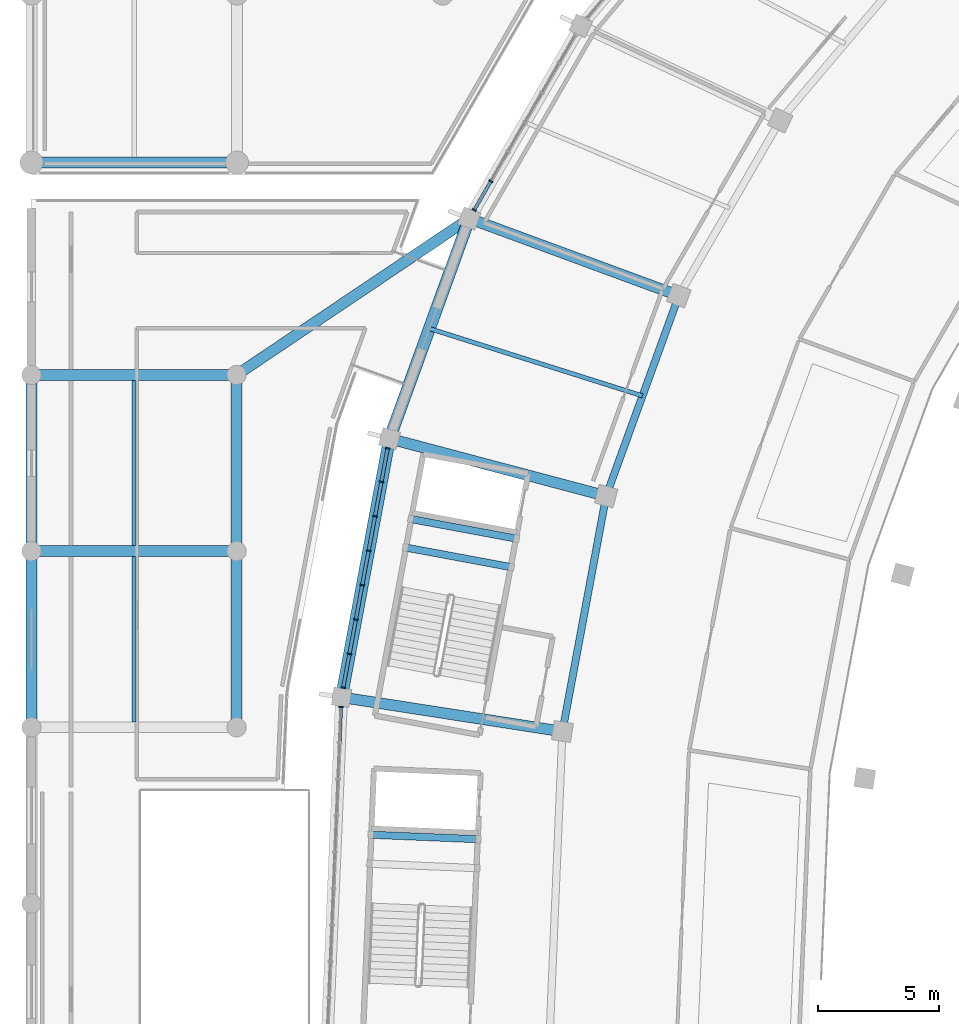
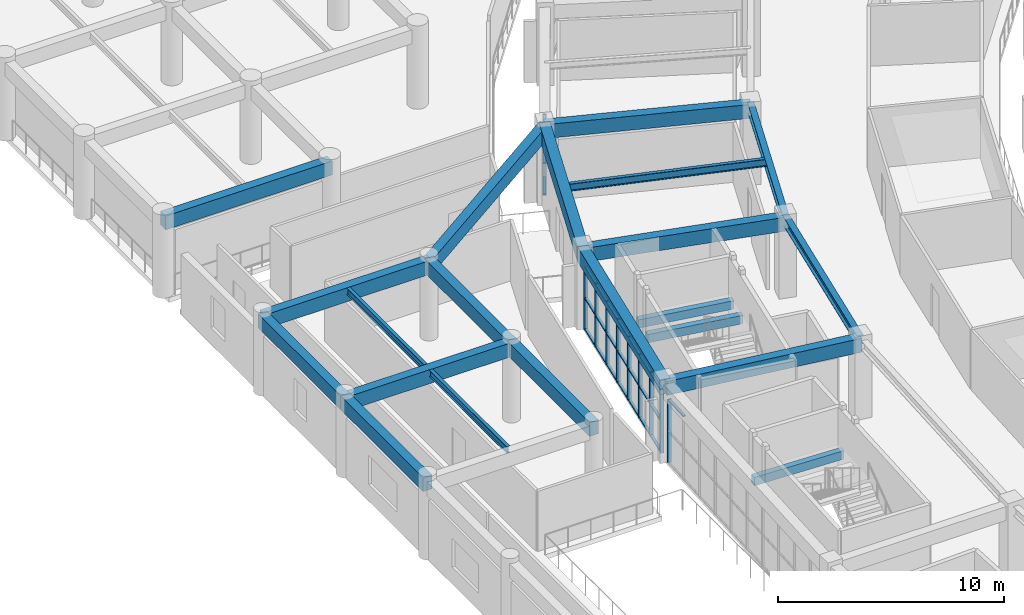
# One storey, part 29 of 141: 36 members, 21 beams, 3 elements without a shape of their own.
"""IFC4 building model written with IfcOpenShell, lengths in metres."""

from ifc_helpers import new_model, si_unit, direction, frame, origin, origin_2d, place, context, subcontext, project, spatial, rectangle, i_section, extrude, material, layer, layer_set, material_profile, profile_set, type_object, element, aggregate, save


model = new_model("IFC4")

# Units and contexts
model_context = context("Model", 3, precision=1e-05, world=origin(), true_north=direction((0.0, 1.0)))
body_context = subcontext(model_context, "Body", "Model", "MODEL_VIEW")
ifc_project = project(units=[si_unit("LENGTHUNIT", "METRE"), si_unit("AREAUNIT", "SQUARE_METRE"), si_unit("VOLUMEUNIT", "CUBIC_METRE"), si_unit("PLANEANGLEUNIT", "RADIAN"), si_unit("MASSUNIT", "GRAM", prefix="KILO")], contexts=[model_context])

# Site, building, storey
site_placement = place(None, origin())
site = spatial("IfcSite", under=ifc_project, at=site_placement, CompositionType="ELEMENT")
building_placement = place(site_placement, origin())
building = spatial("IfcBuilding", under=site, at=building_placement, Name="Mphavela Belvedere Stadium", CompositionType="ELEMENT")
storey_placement = place(building_placement, frame((0.0, 0.0, 14.699951171875)))
storey = spatial("IfcBuildingStorey", under=building, at=storey_placement, Name="L03", CompositionType="ELEMENT", Elevation=14.699951171875)

# Beams
ifc_material_1 = material(Name="Steel S355", Category="steel")
ifc_material_profile_1 = material_profile(ifc_material_1, i_section(OverallWidth=0.169921875, OverallDepth=0.360107421875, WebThickness=0.008056640625, FlangeThickness=0.0126953125, at=origin_2d()), Name="IPE 360")
ifc_profile_set_1 = profile_set([ifc_material_profile_1], Name="Steel S355")
beam_type_1 = type_object("IfcBeamType", Name="BM-JOIST-IPE360", PredefinedType="JOIST", material=ifc_profile_set_1)
for number, where, z_axis, x_axis, name in (
    (1, (4.25, 101.824951171875, 4.06005859375), (0.0, 1.0, 0.0), (-1.0, 0.0, 0.0), "West Planted Eaves Peristyle Colonnade secondary joist L03 1-8"),
    (2, (4.25, 109.125, 4.06005859375), (0.0, 1.0, 0.0), (-1.0, 0.0, 0.0), "West Planted Eaves Peristyle Colonnade secondary joist L03 1-9"),
):
    element("IfcBeam", number, at=place(storey_placement, frame(where, z_axis=z_axis, x_axis=x_axis)), inside=storey, type_object=beam_type_1, Name=name, PredefinedType="JOIST", context=body_context, shape_type="SweptSolid", body=[
        extrude(i_section(OverallWidth=0.169921875, OverallDepth=0.360107421875, WebThickness=0.008056640625, FlangeThickness=0.0126953125, at=origin_2d()), origin(), (0.0, 0.0, 1.0), 6.85009765625),
    ])
ifc_material_2 = material(Name="Steel S355", Category="steel")
ifc_material_profile_2 = material_profile(ifc_material_2, i_section(OverallWidth=0.179931640625, OverallDepth=0.39990234375, WebThickness=0.008544921875, FlangeThickness=0.013427734375, at=origin_2d()), Name="IPE 400")
ifc_profile_set_2 = profile_set([ifc_material_profile_2], Name="Steel S355")
beam_type_2 = type_object("IfcBeamType", Name="BM-JOIST-IPE400", PredefinedType="JOIST", material=ifc_profile_set_2)
beam_1_placement = place(storey_placement, frame((25.318359375, 115.3330078125, 4.050048828125), z_axis=(-0.953544002003, 0.301253773826, 0.0), x_axis=(-0.301253773826, -0.953544002003, 0.0)))
element("IfcBeam", 3, at=beam_1_placement, inside=storey, type_object=beam_type_2, Name="Concourse floor joist L03-22", PredefinedType="JOIST", context=body_context, shape_type="SweptSolid", body=[
    extrude(i_section(OverallWidth=0.179931640625, OverallDepth=0.39990234375, WebThickness=0.008544921875, FlangeThickness=0.013427734375, at=origin_2d()), origin(), (0.0, 0.0, 1.0), 9.259033203125),
])
ifc_material_3 = material(Name="Concrete C40/50", Category="concrete")
ifc_material_profile_3 = material_profile(ifc_material_3, rectangle(XDim=0.300048828125, YDim=0.449951171875, at=origin_2d()), Name="RC 300x450")
ifc_profile_set_3 = profile_set([ifc_material_profile_3], Name="Concrete C40/50")
beam_type_3 = type_object("IfcBeamType", Name="BM-RC300x450", PredefinedType="BEAM", material=ifc_profile_set_3)
for number, where, z_axis, x_axis, name in (
    (4, (19.88623046875, 108.2353515625, 1.824951171875), (-0.9831891563, 0.182589931088, 0.0), (-0.182589931088, -0.9831891563, 0.0), "Core C06 landing trimmer beam L03-1"),
    (5, (20.105224609375, 109.415283203125, 1.824951171875), (-0.983198960132, 0.182537132646, 0.0), (-0.182537132646, -0.983198960132, 0.0), "Core C06 landing trimmer beam L03-2"),
):
    element("IfcBeam", number, at=place(storey_placement, frame(where, z_axis=z_axis, x_axis=x_axis)), inside=storey, type_object=beam_type_3, Name=name, PredefinedType="BEAM", context=body_context, shape_type="SweptSolid", body=[
        extrude(rectangle(XDim=0.300048828125, YDim=0.449951171875, at=origin_2d()), origin(), (0.0, 0.0, 1.0), 4.469970703125),
    ])
beam_2_placement = place(storey_placement, frame((18.5205078125, 96.96240234375, 1.824951171875), z_axis=(-0.999124533389, 0.041834994675, 0.0), x_axis=(-0.041834994675, -0.999124533389, 0.0)))
element("IfcBeam", 6, at=beam_2_placement, inside=storey, type_object=beam_type_3, Name="Core C07 landing trimmer beam L03-2", PredefinedType="BEAM", context=body_context, shape_type="SweptSolid", body=[
    extrude(rectangle(XDim=0.300048828125, YDim=0.449951171875, at=origin_2d()), origin(), (0.0, 0.0, 1.0), 4.47021484375),
])
ifc_material_4 = material(Name="Concrete C40/50", Category="concrete")
ifc_material_profile_4 = material_profile(ifc_material_4, rectangle(XDim=0.449951171875, YDim=0.75, at=origin_2d()), Name="RC 450x750")
ifc_profile_set_4 = profile_set([ifc_material_profile_4], Name="Concrete C40/50")
beam_type_4 = type_object("IfcBeamType", Name="BM-RC450x750", PredefinedType="BEAM", material=ifc_profile_set_4)
beam_3_placement = place(storey_placement, frame((26.824462890625, 119.484375, 3.875), z_axis=(-0.938348073025, 0.345691905967, 0.0), x_axis=(-0.345691905967, -0.938348073025, 0.0)))
element("IfcBeam", 7, at=beam_3_placement, inside=storey, type_object=beam_type_4, Name="Radial concourse girder L03 R3R4-22", PredefinedType="BEAM", context=body_context, shape_type="SweptSolid", body=[
    extrude(rectangle(XDim=0.449951171875, YDim=0.75, at=origin_2d()), origin(), (0.0, 0.0, 1.0), 9.2509765625),
])
beam_4_placement = place(storey_placement, frame((23.8125, 111.181884765625, 3.875), z_axis=(-0.966589609073, 0.256328944196, 0.0), x_axis=(-0.256328944196, -0.966589609073, 0.0)))
element("IfcBeam", 8, at=beam_4_placement, inside=storey, type_object=beam_type_4, Name="Radial concourse girder L03 R3R4-23", PredefinedType="BEAM", context=body_context, shape_type="SweptSolid", body=[
    extrude(rectangle(XDim=0.449951171875, YDim=0.75, at=origin_2d()), origin(), (0.0, 0.0, 1.0), 9.287353515625),
])
beam_5_placement = place(storey_placement, frame((22.0, 101.4248046875, 3.875), z_axis=(-0.988182369303, 0.153282761586, 0.0), x_axis=(-0.153282761586, -0.988182369303, 0.0)))
element("IfcBeam", 9, at=beam_5_placement, inside=storey, type_object=beam_type_4, Name="Radial concourse girder L03 R3R4-24", PredefinedType="BEAM", context=body_context, shape_type="SweptSolid", body=[
    extrude(rectangle(XDim=0.449951171875, YDim=0.75, at=origin_2d()), origin(), (0.0, 0.0, 1.0), 9.264892578125),
])
beam_6_placement = place(storey_placement, frame((0.0, 125.0, 3.864990234375), z_axis=(1.0, 0.0, 0.0), x_axis=(0.0, 1.0, 0.0)))
element("IfcBeam", 10, at=beam_6_placement, inside=storey, type_object=beam_type_4, Name="North Mast and Ceremonial End Forecourt entablature beam X L03 1-1", PredefinedType="BEAM", context=body_context, shape_type="SweptSolid", body=[
    extrude(rectangle(XDim=0.449951171875, YDim=0.75, at=origin_2d()), origin(), (0.0, 0.0, 1.0), 8.51904296875),
])
beam_7_placement = place(storey_placement, frame((0.0, 101.60009765625, 3.864990234375), z_axis=(0.0, 1.0, 0.0), x_axis=(-1.0, 0.0, 0.0)))
element("IfcBeam", 11, at=beam_7_placement, inside=storey, type_object=beam_type_4, Name="West Planted Eaves Peristyle Colonnade entablature beam Y L03 1-8", PredefinedType="BEAM", context=body_context, shape_type="SweptSolid", body=[
    extrude(rectangle(XDim=0.449951171875, YDim=0.75, at=origin_2d()), origin(), (0.0, 0.0, 1.0), 7.2998046875),
])
beam_8_placement = place(storey_placement, frame((0.0, 108.89990234375, 3.864990234375), z_axis=(1.0, 0.0, 0.0), x_axis=(0.0, 1.0, 0.0)))
element("IfcBeam", 12, at=beam_8_placement, inside=storey, type_object=beam_type_4, Name="West Planted Eaves Peristyle Colonnade entablature beam X L03 1-9", PredefinedType="BEAM", context=body_context, shape_type="SweptSolid", body=[
    extrude(rectangle(XDim=0.449951171875, YDim=0.75, at=origin_2d()), origin(), (0.0, 0.0, 1.0), 8.5),
])
beam_9_placement = place(storey_placement, frame((0.0, 108.89990234375, 3.864990234375), z_axis=(0.0, 1.0, 0.0), x_axis=(-1.0, 0.0, 0.0)))
element("IfcBeam", 13, at=beam_9_placement, inside=storey, type_object=beam_type_4, Name="West Planted Eaves Peristyle Colonnade entablature beam Y L03 1-9", PredefinedType="BEAM", context=body_context, shape_type="SweptSolid", body=[
    extrude(rectangle(XDim=0.449951171875, YDim=0.75, at=origin_2d()), origin(), (0.0, 0.0, 1.0), 7.300048828125),
])
beam_10_placement = place(storey_placement, frame((0.0, 116.199951171875, 3.864990234375), z_axis=(1.0, 0.0, 0.0), x_axis=(0.0, 1.0, 0.0)))
element("IfcBeam", 14, at=beam_10_placement, inside=storey, type_object=beam_type_4, Name="West Planted Eaves Peristyle Colonnade entablature beam X L03 1-10", PredefinedType="BEAM", context=body_context, shape_type="SweptSolid", body=[
    extrude(rectangle(XDim=0.449951171875, YDim=0.75, at=origin_2d()), origin(), (0.0, 0.0, 1.0), 8.5),
])
beam_11_placement = place(storey_placement, frame((8.5, 101.60009765625, 3.864990234375), z_axis=(0.0, 1.0, 0.0), x_axis=(-1.0, 0.0, 0.0)))
element("IfcBeam", 15, at=beam_11_placement, inside=storey, type_object=beam_type_4, Name="West Planted Eaves Peristyle Colonnade entablature beam Y L03 2-8", PredefinedType="BEAM", context=body_context, shape_type="SweptSolid", body=[
    extrude(rectangle(XDim=0.449951171875, YDim=0.75, at=origin_2d()), origin(), (0.0, 0.0, 1.0), 7.2998046875),
])
beam_12_placement = place(storey_placement, frame((8.5, 108.89990234375, 3.864990234375), z_axis=(0.0, 1.0, 0.0), x_axis=(-1.0, 0.0, 0.0)))
element("IfcBeam", 16, at=beam_12_placement, inside=storey, type_object=beam_type_4, Name="West Planted Eaves Peristyle Colonnade entablature beam Y L03 2-9", PredefinedType="BEAM", context=body_context, shape_type="SweptSolid", body=[
    extrude(rectangle(XDim=0.449951171875, YDim=0.75, at=origin_2d()), origin(), (0.0, 0.0, 1.0), 7.300048828125),
])
beam_13_placement = place(storey_placement, frame((8.5, 116.199951171875, 3.864990234375), z_axis=(0.82993028647, 0.557867116436, 0.0), x_axis=(-0.557867116436, 0.82993028647, 0.0)))
element("IfcBeam", 17, at=beam_13_placement, inside=storey, type_object=beam_type_4, Name="West Planted Eaves Peristyle Colonnade bowl link girder L03-6", PredefinedType="BEAM", context=body_context, shape_type="SweptSolid", body=[
    extrude(rectangle(XDim=0.449951171875, YDim=0.75, at=origin_2d()), origin(), (0.0, 0.0, 1.0), 11.6201171875),
])
ifc_material_5 = material(Name="Concrete C40/50", Category="concrete")
ifc_material_profile_5 = material_profile(ifc_material_5, rectangle(XDim=0.5, YDim=0.800048828125, at=origin_2d()), Name="RC 500x800")
ifc_profile_set_5 = profile_set([ifc_material_profile_5], Name="Concrete C40/50")
beam_type_5 = type_object("IfcBeamType", Name="BM-SPANDREL-800", PredefinedType="SPANDREL", material=ifc_profile_set_5)
beam_14_placement = place(storey_placement, frame((18.143798828125, 122.682373046875, 3.85009765625), z_axis=(-0.341017570596, -0.94005692197, 0.0), x_axis=(0.94005692197, -0.341017570596, 0.0)))
element("IfcBeam", 18, at=beam_14_placement, inside=storey, type_object=beam_type_5, Name="Circumferential girder L03 R4-22", PredefinedType="SPANDREL", context=body_context, shape_type="SweptSolid", body=[
    extrude(rectangle(XDim=0.5, YDim=0.800048828125, at=origin_2d()), origin(), (0.0, 0.0, 1.0), 9.701416015625),
])
beam_15_placement = place(storey_placement, frame((14.83544921875, 113.5625, 3.85009765625), z_axis=(-0.18264260648, -0.983179372393, 0.0), x_axis=(0.983179372393, -0.18264260648, 0.0)))
element("IfcBeam", 19, at=beam_15_placement, inside=storey, type_object=beam_type_5, Name="Circumferential girder L03 R4-23", PredefinedType="SPANDREL", context=body_context, shape_type="SweptSolid", body=[
    extrude(rectangle(XDim=0.5, YDim=0.800048828125, at=origin_2d()), origin(), (0.0, 0.0, 1.0), 10.90087890625),
])
ifc_material_6 = material(Name="Steel S355", Category="steel")
ifc_material_profile_6 = material_profile(ifc_material_6, i_section(OverallWidth=0.300048828125, OverallDepth=0.489990234375, WebThickness=0.011962890625, FlangeThickness=0.02294921875, at=origin_2d()), Name="HEA 500")
ifc_profile_set_6 = profile_set([ifc_material_profile_6], Name="Steel S355")
beam_type_6 = type_object("IfcBeamType", Name="BM-STEEL-HEA500", PredefinedType="BEAM", material=ifc_profile_set_6)
beam_16_placement = place(storey_placement, frame((26.824462890625, 119.484375, 4.005126953125), z_axis=(-0.341030504348, -0.940052229987, 0.0), x_axis=(0.940052229987, -0.341030504348, 0.0)))
element("IfcBeam", 20, at=beam_16_placement, inside=storey, type_object=beam_type_6, Name="Circumferential girder L03 R3-22", PredefinedType="BEAM", context=body_context, shape_type="SweptSolid", body=[
    extrude(i_section(OverallWidth=0.300048828125, OverallDepth=0.489990234375, WebThickness=0.011962890625, FlangeThickness=0.02294921875, at=origin_2d()), origin(), (0.0, 0.0, 1.0), 8.83203125),
])
beam_17_placement = place(storey_placement, frame((23.8125, 111.181884765625, 4.005126953125), z_axis=(-0.182638056683, -0.983180217585, 0.0), x_axis=(0.983180217585, -0.182638056683, 0.0)))
element("IfcBeam", 21, at=beam_17_placement, inside=storey, type_object=beam_type_6, Name="Circumferential girder L03 R3-23", PredefinedType="BEAM", context=body_context, shape_type="SweptSolid", body=[
    extrude(i_section(OverallWidth=0.300048828125, OverallDepth=0.489990234375, WebThickness=0.011962890625, FlangeThickness=0.02294921875, at=origin_2d()), origin(), (0.0, 0.0, 1.0), 9.924072265625),
])

# Curtain wall, members
ifc_material_7 = material(Name="Anodised bronze unitised curtain wall framing")
ifc_layer_1 = layer(ifc_material_7, 0.205078125)
ifc_layer_set_1 = layer_set([ifc_layer_1], Name="Anodised bronze unitised curtain wall framing")
curtain_wall_type_1 = type_object("IfcCurtainWallType", Name="CW-UNIT-06", PredefinedType="USERDEFINED", material=ifc_layer_set_1)
curtain_wall_1_placement = place(storey_placement, origin())
curtain_wall_1 = element("IfcCurtainWall", 22, at=curtain_wall_1_placement, inside=storey, type_object=curtain_wall_type_1, Name="Belvedere colonnade curtain wall L03-21", ObjectType="UNITISED CURTAIN WALL", PredefinedType="USERDEFINED")
ifc_material_8 = material(Name="Anodised bronze extruded aluminium", Category="aluminium")
ifc_material_profile_7 = material_profile(ifc_material_8, rectangle(XDim=0.179931640625, YDim=0.06494140625, at=origin_2d()), Name="CW-MUL 180x65")
ifc_profile_set_7 = profile_set([ifc_material_profile_7], Name="Anodised bronze extruded aluminium")
member_type_1 = type_object("IfcMemberType", Name="CWM-180x65", PredefinedType="MULLION", material=ifc_profile_set_7)
member_1_placement = place(storey_placement, frame((19.037353515625, 124.2275390625, 0.0), z_axis=(0.0, 0.0, 1.0), x_axis=(0.865705257789, -0.50055409961, 0.0)))
member_1 = element("IfcMember", 23, at=member_1_placement, type_object=member_type_1, Name="CW-06 mullion 6", PredefinedType="MULLION", context=body_context, shape_type="SweptSolid", body=[
    extrude(rectangle(XDim=0.179931640625, YDim=0.06494140625, at=origin_2d()), origin(), (0.0, 0.0, 1.0), 3.420166015625),
])
member_2_placement = place(storey_placement, frame((18.346923828125, 123.033447265625, 0.0), z_axis=(0.0, 0.0, 1.0), x_axis=(0.865705257789, -0.50055409961, 0.0)))
member_2 = element("IfcMember", 24, at=member_2_placement, type_object=member_type_1, Name="CW-06 mullion 7", PredefinedType="MULLION", context=body_context, shape_type="SweptSolid", body=[
    extrude(rectangle(XDim=0.179931640625, YDim=0.06494140625, at=origin_2d()), origin(), (0.0, 0.0, 1.0), 3.420166015625),
])

ifc_material_9 = material(Name="Anodised bronze unitised curtain wall framing")
ifc_layer_2 = layer(ifc_material_9, 0.179931640625)
ifc_layer_set_2 = layer_set([ifc_layer_2], Name="Anodised bronze unitised curtain wall framing")
curtain_wall_type_2 = type_object("IfcCurtainWallType", Name="CW-UNIT-01", PredefinedType="USERDEFINED", material=ifc_layer_set_2)
curtain_wall_2_placement = place(storey_placement, origin())
curtain_wall_2 = element("IfcCurtainWall", 25, at=curtain_wall_2_placement, inside=storey, type_object=curtain_wall_type_2, Name="Belvedere colonnade curtain wall L03-23", ObjectType="UNITISED CURTAIN WALL", PredefinedType="USERDEFINED")
member_3_placement = place(storey_placement, frame((14.761474609375, 113.163818359375, 0.0), z_axis=(0.0, 0.0, 1.0), x_axis=(0.983181487142, -0.182631222254, 0.0)))
member_3 = element("IfcMember", 26, at=member_3_placement, type_object=member_type_1, Name="CW-01 mullion 1", PredefinedType="MULLION", context=body_context, shape_type="SweptSolid", body=[
    extrude(rectangle(XDim=0.179931640625, YDim=0.06494140625, at=origin_2d()), origin(), (0.0, 0.0, 1.0), 3.420166015625),
])
member_4_placement = place(storey_placement, frame((14.50244140625, 111.76953125, 0.0), z_axis=(0.0, 0.0, 1.0), x_axis=(0.983181487142, -0.182631222254, 0.0)))
member_4 = element("IfcMember", 27, at=member_4_placement, type_object=member_type_1, Name="CW-01 mullion 2", PredefinedType="MULLION", context=body_context, shape_type="SweptSolid", body=[
    extrude(rectangle(XDim=0.179931640625, YDim=0.06494140625, at=origin_2d()), origin(), (0.0, 0.0, 1.0), 3.420166015625),
])
member_5_placement = place(storey_placement, frame((14.2373046875, 110.34326171875, 0.0), z_axis=(0.0, 0.0, 1.0), x_axis=(0.983181487142, -0.182631222254, 0.0)))
member_5 = element("IfcMember", 28, at=member_5_placement, type_object=member_type_1, Name="CW-01 mullion 3", PredefinedType="MULLION", context=body_context, shape_type="SweptSolid", body=[
    extrude(rectangle(XDim=0.179931640625, YDim=0.06494140625, at=origin_2d()), origin(), (0.0, 0.0, 1.0), 3.420166015625),
])
member_6_placement = place(storey_placement, frame((13.972412109375, 108.9169921875, 0.0), z_axis=(0.0, 0.0, 1.0), x_axis=(0.983181487142, -0.182631222254, 0.0)))
member_6 = element("IfcMember", 29, at=member_6_placement, type_object=member_type_1, Name="CW-01 mullion 4", PredefinedType="MULLION", context=body_context, shape_type="SweptSolid", body=[
    extrude(rectangle(XDim=0.179931640625, YDim=0.06494140625, at=origin_2d()), origin(), (0.0, 0.0, 1.0), 3.420166015625),
])
member_7_placement = place(storey_placement, frame((13.70751953125, 107.490478515625, 0.0), z_axis=(0.0, 0.0, 1.0), x_axis=(0.983181487142, -0.182631222254, 0.0)))
member_7 = element("IfcMember", 30, at=member_7_placement, type_object=member_type_1, Name="CW-01 mullion 5", PredefinedType="MULLION", context=body_context, shape_type="SweptSolid", body=[
    extrude(rectangle(XDim=0.179931640625, YDim=0.06494140625, at=origin_2d()), origin(), (0.0, 0.0, 1.0), 3.420166015625),
])
member_8_placement = place(storey_placement, frame((13.442626953125, 106.064208984375, 0.0), z_axis=(0.0, 0.0, 1.0), x_axis=(0.983181487142, -0.182631222254, 0.0)))
member_8 = element("IfcMember", 31, at=member_8_placement, type_object=member_type_1, Name="CW-01 mullion 6", PredefinedType="MULLION", context=body_context, shape_type="SweptSolid", body=[
    extrude(rectangle(XDim=0.179931640625, YDim=0.06494140625, at=origin_2d()), origin(), (0.0, 0.0, 1.0), 3.420166015625),
])
member_9_placement = place(storey_placement, frame((13.177734375, 104.637939453125, 0.0), z_axis=(0.0, 0.0, 1.0), x_axis=(0.983181487142, -0.182631222254, 0.0)))
member_9 = element("IfcMember", 32, at=member_9_placement, type_object=member_type_1, Name="CW-01 mullion 7", PredefinedType="MULLION", context=body_context, shape_type="SweptSolid", body=[
    extrude(rectangle(XDim=0.179931640625, YDim=0.06494140625, at=origin_2d()), origin(), (0.0, 0.0, 1.0), 3.420166015625),
])
member_10_placement = place(storey_placement, frame((12.918701171875, 103.24365234375, 0.0), z_axis=(0.0, 0.0, 1.0), x_axis=(0.983181487142, -0.182631222254, 0.0)))
member_10 = element("IfcMember", 33, at=member_10_placement, type_object=member_type_1, Name="CW-01 mullion 8", PredefinedType="MULLION", context=body_context, shape_type="SweptSolid", body=[
    extrude(rectangle(XDim=0.179931640625, YDim=0.06494140625, at=origin_2d()), origin(), (0.0, 0.0, 1.0), 3.420166015625),
])

# Curtain wall, member
ifc_material_10 = material(Name="Anodised bronze unitised curtain wall framing")
ifc_layer_3 = layer(ifc_material_10, 0.18505859375)
ifc_layer_set_3 = layer_set([ifc_layer_3], Name="Anodised bronze unitised curtain wall framing")
curtain_wall_type_3 = type_object("IfcCurtainWallType", Name="CW-UNIT-02", PredefinedType="USERDEFINED", material=ifc_layer_set_3)
curtain_wall_3_placement = place(storey_placement, origin())
curtain_wall_3 = element("IfcCurtainWall", 34, at=curtain_wall_3_placement, inside=storey, type_object=curtain_wall_type_3, Name="Belvedere colonnade curtain wall L03-24", ObjectType="UNITISED CURTAIN WALL", PredefinedType="USERDEFINED")
member_11_placement = place(storey_placement, frame((12.82763671875, 102.43994140625, 0.0), z_axis=(0.0, 0.0, 1.0), x_axis=(0.999121336582, -0.041911272788, 0.0)))
member_11 = element("IfcMember", 35, at=member_11_placement, type_object=member_type_1, Name="CW-02 mullion 1", PredefinedType="MULLION", context=body_context, shape_type="SweptSolid", body=[
    extrude(rectangle(XDim=0.179931640625, YDim=0.06494140625, at=origin_2d()), origin(), (0.0, 0.0, 1.0), 3.420166015625),
])

# Member
ifc_material_11 = material(Name="Anodised bronze extruded aluminium", Category="aluminium")
ifc_material_profile_8 = material_profile(ifc_material_11, rectangle(XDim=0.139892578125, YDim=0.06005859375, at=origin_2d()), Name="CW-TRN 140x60")
ifc_profile_set_8 = profile_set([ifc_material_profile_8], Name="Anodised bronze extruded aluminium")
member_type_2 = type_object("IfcMemberType", Name="CWT-140x60", PredefinedType="USERDEFINED", material=ifc_profile_set_8)
member_12_placement = place(storey_placement, frame((19.02099609375, 124.19921875, 0.030029296875), z_axis=(-0.500633471094, -0.865659360037, 0.0), x_axis=(0.865659360037, -0.500633471094, 0.0)))
member_12 = element("IfcMember", 36, at=member_12_placement, type_object=member_type_2, Name="CW-06 transom 6.1", ObjectType="TRANSOM", PredefinedType="USERDEFINED", context=body_context, shape_type="SweptSolid", body=[
    extrude(rectangle(XDim=0.139892578125, YDim=0.06005859375, at=origin_2d()), origin(), (0.0, 0.0, 1.0), 1.314208984375),
])

member_13_placement = place(storey_placement, frame((19.02099609375, 124.19921875, 1.7099609375), z_axis=(-0.500633471094, -0.865659360037, 0.0), x_axis=(0.865659360037, -0.500633471094, 0.0)))
member_13 = element("IfcMember", 37, at=member_13_placement, type_object=member_type_2, Name="CW-06 transom 6.2", ObjectType="TRANSOM", PredefinedType="USERDEFINED", context=body_context, shape_type="SweptSolid", body=[
    extrude(rectangle(XDim=0.139892578125, YDim=0.06005859375, at=origin_2d()), origin(), (0.0, 0.0, 1.0), 1.314208984375),
])

member_14_placement = place(storey_placement, frame((19.02099609375, 124.19921875, 3.39013671875), z_axis=(-0.500633471094, -0.865659360037, 0.0), x_axis=(0.865659360037, -0.500633471094, 0.0)))
member_14 = element("IfcMember", 38, at=member_14_placement, type_object=member_type_2, Name="CW-06 transom 6.3", ObjectType="TRANSOM", PredefinedType="USERDEFINED", context=body_context, shape_type="SweptSolid", body=[
    extrude(rectangle(XDim=0.139892578125, YDim=0.06005859375, at=origin_2d()), origin(), (0.0, 0.0, 1.0), 1.314208984375),
])

aggregate(curtain_wall_1, [member_1, member_2, member_12, member_13, member_14])

member_15_placement = place(storey_placement, frame((14.75537109375, 113.1318359375, 0.030029296875), z_axis=(-0.182599668928, -0.983187347817, 0.0), x_axis=(0.983187347817, -0.182599668928, 0.0)))
member_15 = element("IfcMember", 39, at=member_15_placement, type_object=member_type_2, Name="CW-01 transom 1.1", ObjectType="TRANSOM", PredefinedType="USERDEFINED", context=body_context, shape_type="SweptSolid", body=[
    extrude(rectangle(XDim=0.139892578125, YDim=0.06005859375, at=origin_2d()), origin(), (0.0, 0.0, 1.0), 1.35302734375),
])

member_16_placement = place(storey_placement, frame((14.75537109375, 113.1318359375, 1.7099609375), z_axis=(-0.182599668928, -0.983187347817, 0.0), x_axis=(0.983187347817, -0.182599668928, 0.0)))
member_16 = element("IfcMember", 40, at=member_16_placement, type_object=member_type_2, Name="CW-01 transom 1.2", ObjectType="TRANSOM", PredefinedType="USERDEFINED", context=body_context, shape_type="SweptSolid", body=[
    extrude(rectangle(XDim=0.139892578125, YDim=0.06005859375, at=origin_2d()), origin(), (0.0, 0.0, 1.0), 1.35302734375),
])

member_17_placement = place(storey_placement, frame((14.75537109375, 113.1318359375, 3.39013671875), z_axis=(-0.182599668928, -0.983187347817, 0.0), x_axis=(0.983187347817, -0.182599668928, 0.0)))
member_17 = element("IfcMember", 41, at=member_17_placement, type_object=member_type_2, Name="CW-01 transom 1.3", ObjectType="TRANSOM", PredefinedType="USERDEFINED", context=body_context, shape_type="SweptSolid", body=[
    extrude(rectangle(XDim=0.139892578125, YDim=0.06005859375, at=origin_2d()), origin(), (0.0, 0.0, 1.0), 1.35302734375),
])

member_18_placement = place(storey_placement, frame((14.496337890625, 111.737548828125, 0.030029296875), z_axis=(-0.182543529101, -0.983197772568, 0.0), x_axis=(0.983197772568, -0.182543529101, 0.0)))
member_18 = element("IfcMember", 42, at=member_18_placement, type_object=member_type_2, Name="CW-01 transom 2.1", ObjectType="TRANSOM", PredefinedType="USERDEFINED", context=body_context, shape_type="SweptSolid", body=[
    extrude(rectangle(XDim=0.139892578125, YDim=0.06005859375, at=origin_2d()), origin(), (0.0, 0.0, 1.0), 1.385498046875),
])

member_19_placement = place(storey_placement, frame((14.496337890625, 111.737548828125, 1.7099609375), z_axis=(-0.182543529101, -0.983197772568, 0.0), x_axis=(0.983197772568, -0.182543529101, 0.0)))
member_19 = element("IfcMember", 43, at=member_19_placement, type_object=member_type_2, Name="CW-01 transom 2.2", ObjectType="TRANSOM", PredefinedType="USERDEFINED", context=body_context, shape_type="SweptSolid", body=[
    extrude(rectangle(XDim=0.139892578125, YDim=0.06005859375, at=origin_2d()), origin(), (0.0, 0.0, 1.0), 1.385498046875),
])

member_20_placement = place(storey_placement, frame((14.496337890625, 111.737548828125, 3.39013671875), z_axis=(-0.182543529101, -0.983197772568, 0.0), x_axis=(0.983197772568, -0.182543529101, 0.0)))
member_20 = element("IfcMember", 44, at=member_20_placement, type_object=member_type_2, Name="CW-01 transom 2.3", ObjectType="TRANSOM", PredefinedType="USERDEFINED", context=body_context, shape_type="SweptSolid", body=[
    extrude(rectangle(XDim=0.139892578125, YDim=0.06005859375, at=origin_2d()), origin(), (0.0, 0.0, 1.0), 1.385498046875),
])

member_21_placement = place(storey_placement, frame((14.2314453125, 110.311279296875, 0.030029296875), z_axis=(-0.182543529101, -0.983197772568, 0.0), x_axis=(0.983197772568, -0.182543529101, 0.0)))
member_21 = element("IfcMember", 45, at=member_21_placement, type_object=member_type_2, Name="CW-01 transom 3.1", ObjectType="TRANSOM", PredefinedType="USERDEFINED", context=body_context, shape_type="SweptSolid", body=[
    extrude(rectangle(XDim=0.139892578125, YDim=0.06005859375, at=origin_2d()), origin(), (0.0, 0.0, 1.0), 1.385498046875),
])

member_22_placement = place(storey_placement, frame((14.2314453125, 110.311279296875, 1.7099609375), z_axis=(-0.182543529101, -0.983197772568, 0.0), x_axis=(0.983197772568, -0.182543529101, 0.0)))
member_22 = element("IfcMember", 46, at=member_22_placement, type_object=member_type_2, Name="CW-01 transom 3.2", ObjectType="TRANSOM", PredefinedType="USERDEFINED", context=body_context, shape_type="SweptSolid", body=[
    extrude(rectangle(XDim=0.139892578125, YDim=0.06005859375, at=origin_2d()), origin(), (0.0, 0.0, 1.0), 1.385498046875),
])

member_23_placement = place(storey_placement, frame((14.2314453125, 110.311279296875, 3.39013671875), z_axis=(-0.182543529101, -0.983197772568, 0.0), x_axis=(0.983197772568, -0.182543529101, 0.0)))
member_23 = element("IfcMember", 47, at=member_23_placement, type_object=member_type_2, Name="CW-01 transom 3.3", ObjectType="TRANSOM", PredefinedType="USERDEFINED", context=body_context, shape_type="SweptSolid", body=[
    extrude(rectangle(XDim=0.139892578125, YDim=0.06005859375, at=origin_2d()), origin(), (0.0, 0.0, 1.0), 1.385498046875),
])

member_24_placement = place(storey_placement, frame((13.966552734375, 108.885009765625, 0.030029296875), z_axis=(-0.182682203947, -0.983172015652, 0.0), x_axis=(0.983172015652, -0.182682203947, 0.0)))
member_24 = element("IfcMember", 48, at=member_24_placement, type_object=member_type_2, Name="CW-01 transom 4.1", ObjectType="TRANSOM", PredefinedType="USERDEFINED", context=body_context, shape_type="SweptSolid", body=[
    extrude(rectangle(XDim=0.139892578125, YDim=0.06005859375, at=origin_2d()), origin(), (0.0, 0.0, 1.0), 1.385986328125),
])

member_25_placement = place(storey_placement, frame((13.966552734375, 108.885009765625, 1.7099609375), z_axis=(-0.182682203947, -0.983172015652, 0.0), x_axis=(0.983172015652, -0.182682203947, 0.0)))
member_25 = element("IfcMember", 49, at=member_25_placement, type_object=member_type_2, Name="CW-01 transom 4.2", ObjectType="TRANSOM", PredefinedType="USERDEFINED", context=body_context, shape_type="SweptSolid", body=[
    extrude(rectangle(XDim=0.139892578125, YDim=0.06005859375, at=origin_2d()), origin(), (0.0, 0.0, 1.0), 1.385986328125),
])

member_26_placement = place(storey_placement, frame((13.966552734375, 108.885009765625, 3.39013671875), z_axis=(-0.182682203947, -0.983172015652, 0.0), x_axis=(0.983172015652, -0.182682203947, 0.0)))
member_26 = element("IfcMember", 50, at=member_26_placement, type_object=member_type_2, Name="CW-01 transom 4.3", ObjectType="TRANSOM", PredefinedType="USERDEFINED", context=body_context, shape_type="SweptSolid", body=[
    extrude(rectangle(XDim=0.139892578125, YDim=0.06005859375, at=origin_2d()), origin(), (0.0, 0.0, 1.0), 1.385986328125),
])

member_27_placement = place(storey_placement, frame((13.70166015625, 107.458740234375, 0.030029296875), z_axis=(-0.182682203947, -0.983172015652, 0.0), x_axis=(0.983172015652, -0.182682203947, 0.0)))
member_27 = element("IfcMember", 51, at=member_27_placement, type_object=member_type_2, Name="CW-01 transom 5.1", ObjectType="TRANSOM", PredefinedType="USERDEFINED", context=body_context, shape_type="SweptSolid", body=[
    extrude(rectangle(XDim=0.139892578125, YDim=0.06005859375, at=origin_2d()), origin(), (0.0, 0.0, 1.0), 1.385986328125),
])

member_28_placement = place(storey_placement, frame((13.70166015625, 107.458740234375, 1.7099609375), z_axis=(-0.182682203947, -0.983172015652, 0.0), x_axis=(0.983172015652, -0.182682203947, 0.0)))
member_28 = element("IfcMember", 52, at=member_28_placement, type_object=member_type_2, Name="CW-01 transom 5.2", ObjectType="TRANSOM", PredefinedType="USERDEFINED", context=body_context, shape_type="SweptSolid", body=[
    extrude(rectangle(XDim=0.139892578125, YDim=0.06005859375, at=origin_2d()), origin(), (0.0, 0.0, 1.0), 1.385986328125),
])

member_29_placement = place(storey_placement, frame((13.70166015625, 107.458740234375, 3.39013671875), z_axis=(-0.182682203947, -0.983172015652, 0.0), x_axis=(0.983172015652, -0.182682203947, 0.0)))
member_29 = element("IfcMember", 53, at=member_29_placement, type_object=member_type_2, Name="CW-01 transom 5.3", ObjectType="TRANSOM", PredefinedType="USERDEFINED", context=body_context, shape_type="SweptSolid", body=[
    extrude(rectangle(XDim=0.139892578125, YDim=0.06005859375, at=origin_2d()), origin(), (0.0, 0.0, 1.0), 1.385986328125),
])

member_30_placement = place(storey_placement, frame((13.436767578125, 106.0322265625, 0.030029296875), z_axis=(-0.182713849827, -0.983166135036, 0.0), x_axis=(0.983166135036, -0.182713849827, 0.0)))
member_30 = element("IfcMember", 54, at=member_30_placement, type_object=member_type_2, Name="CW-01 transom 6.1", ObjectType="TRANSOM", PredefinedType="USERDEFINED", context=body_context, shape_type="SweptSolid", body=[
    extrude(rectangle(XDim=0.139892578125, YDim=0.06005859375, at=origin_2d()), origin(), (0.0, 0.0, 1.0), 1.3857421875),
])

member_31_placement = place(storey_placement, frame((13.436767578125, 106.0322265625, 1.7099609375), z_axis=(-0.182713849827, -0.983166135036, 0.0), x_axis=(0.983166135036, -0.182713849827, 0.0)))
member_31 = element("IfcMember", 55, at=member_31_placement, type_object=member_type_2, Name="CW-01 transom 6.2", ObjectType="TRANSOM", PredefinedType="USERDEFINED", context=body_context, shape_type="SweptSolid", body=[
    extrude(rectangle(XDim=0.139892578125, YDim=0.06005859375, at=origin_2d()), origin(), (0.0, 0.0, 1.0), 1.3857421875),
])

member_32_placement = place(storey_placement, frame((13.436767578125, 106.0322265625, 3.39013671875), z_axis=(-0.182713849827, -0.983166135036, 0.0), x_axis=(0.983166135036, -0.182713849827, 0.0)))
member_32 = element("IfcMember", 56, at=member_32_placement, type_object=member_type_2, Name="CW-01 transom 6.3", ObjectType="TRANSOM", PredefinedType="USERDEFINED", context=body_context, shape_type="SweptSolid", body=[
    extrude(rectangle(XDim=0.139892578125, YDim=0.06005859375, at=origin_2d()), origin(), (0.0, 0.0, 1.0), 1.3857421875),
])

member_33_placement = place(storey_placement, frame((13.171630859375, 104.60595703125, 0.030029296875), z_axis=(-0.182599668928, -0.983187347817, 0.0), x_axis=(0.983187347817, -0.182599668928, 0.0)))
member_33 = element("IfcMember", 57, at=member_33_placement, type_object=member_type_2, Name="CW-01 transom 7.1", ObjectType="TRANSOM", PredefinedType="USERDEFINED", context=body_context, shape_type="SweptSolid", body=[
    extrude(rectangle(XDim=0.139892578125, YDim=0.06005859375, at=origin_2d()), origin(), (0.0, 0.0, 1.0), 1.35302734375),
])

member_34_placement = place(storey_placement, frame((13.171630859375, 104.60595703125, 1.7099609375), z_axis=(-0.182599668928, -0.983187347817, 0.0), x_axis=(0.983187347817, -0.182599668928, 0.0)))
member_34 = element("IfcMember", 58, at=member_34_placement, type_object=member_type_2, Name="CW-01 transom 7.2", ObjectType="TRANSOM", PredefinedType="USERDEFINED", context=body_context, shape_type="SweptSolid", body=[
    extrude(rectangle(XDim=0.139892578125, YDim=0.06005859375, at=origin_2d()), origin(), (0.0, 0.0, 1.0), 1.35302734375),
])

member_35_placement = place(storey_placement, frame((13.171630859375, 104.60595703125, 3.39013671875), z_axis=(-0.182599668928, -0.983187347817, 0.0), x_axis=(0.983187347817, -0.182599668928, 0.0)))
member_35 = element("IfcMember", 59, at=member_35_placement, type_object=member_type_2, Name="CW-01 transom 7.3", ObjectType="TRANSOM", PredefinedType="USERDEFINED", context=body_context, shape_type="SweptSolid", body=[
    extrude(rectangle(XDim=0.139892578125, YDim=0.06005859375, at=origin_2d()), origin(), (0.0, 0.0, 1.0), 1.35302734375),
])

aggregate(curtain_wall_2, [member_3, member_4, member_5, member_6, member_7, member_8, member_9, member_10, member_15, member_16, member_17, member_18, member_19, member_20, member_21, member_22, member_23, member_24, member_25, member_26, member_27, member_28, member_29, member_30, member_31, member_32, member_33, member_34, member_35])

member_36_placement = place(storey_placement, frame((12.826171875, 102.407470703125, 3.39013671875), z_axis=(-0.041788559858, -0.999126476611, 0.0), x_axis=(0.999126476611, -0.041788559858, 0.0)))
member_36 = element("IfcMember", 60, at=member_36_placement, type_object=member_type_2, Name="CW-02 transom 1.3", ObjectType="TRANSOM", PredefinedType="USERDEFINED", context=body_context, shape_type="SweptSolid", body=[
    extrude(rectangle(XDim=0.139892578125, YDim=0.06005859375, at=origin_2d()), origin(), (0.0, 0.0, 1.0), 1.413818359375),
])

aggregate(curtain_wall_3, [member_11, member_36])

save(model, "model.ifc")
